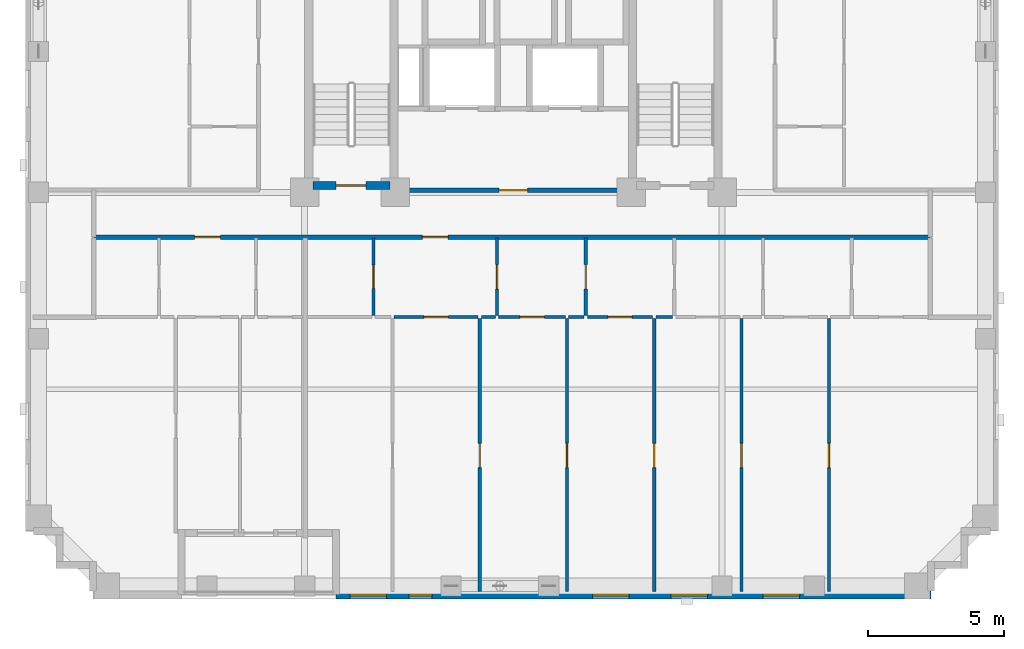
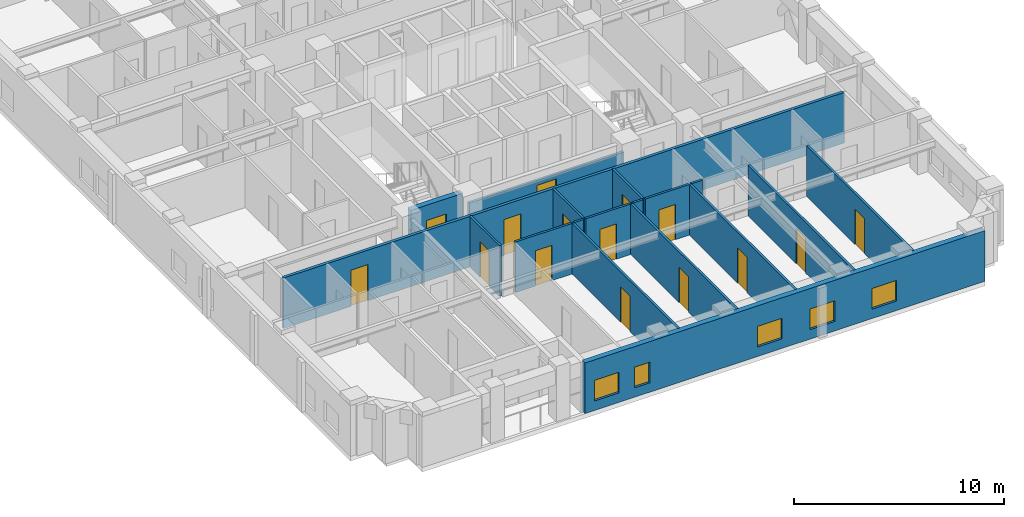
# One storey, part 3 of 12: 18 walls, 15 doors, 5 windows, 20 openings.
"""IFC4 building model written with IfcOpenShell, lengths in metres."""

from ifc_helpers import new_model, si_unit, derived_unit, direction, frame, frame_2d, origin, place, context, subcontext, project, spatial, rectangle, extrude, material, layer, layer_set, type_object, element, fill, save


model = new_model("IFC4")

# Units and contexts
model_context = context("Model", 3, precision=1e-05, world=origin(), true_north=direction((0.0, 1.0)))
body_context = subcontext(model_context, "Body", "Model", "MODEL_VIEW")
ifc_project = project(units=[si_unit("LENGTHUNIT", "METRE"), si_unit("AREAUNIT", "SQUARE_METRE"), si_unit("VOLUMEUNIT", "CUBIC_METRE"), si_unit("PLANEANGLEUNIT", "RADIAN"), si_unit("MASSUNIT", "GRAM", prefix="KILO"), derived_unit("THERMALTRANSMITTANCEUNIT", [(si_unit("MASSUNIT", "GRAM", prefix="KILO"), 1), (si_unit("TIMEUNIT", "SECOND"), -3), (si_unit("THERMODYNAMICTEMPERATUREUNIT", "KELVIN"), -1)])], contexts=[model_context])

# Site, building, storey
site_placement = place(None, origin())
site = spatial("IfcSite", under=ifc_project, at=site_placement, CompositionType="ELEMENT")
building_placement = place(site_placement, origin())
building = spatial("IfcBuilding", under=site, at=building_placement, Name="Korrvale Station Residences", CompositionType="ELEMENT")
storey_placement = place(building_placement, frame((0.0, 0.0, 113.5)))
storey = spatial("IfcBuildingStorey", under=building, at=storey_placement, Name="L32", CompositionType="ELEMENT", Elevation=113.5)

# Wall, opening, door
ifc_material_1 = material(Name="Concrete C60/75", Category="concrete")
ifc_layer_1 = layer(ifc_material_1, 0.300048828125, Name="Concrete C60/75")
ifc_layer_set_1 = layer_set([ifc_layer_1], Name="Concrete C60/75")
wall_type_1 = type_object("IfcWallType", Name="WAL-CORE-300-C60", PredefinedType="SHEAR", material=ifc_layer_set_1)
wall_1_placement = place(storey_placement, frame((18.10009765625, 15.25, 0.0), z_axis=(0.0, 0.0, 1.0), x_axis=(1.0, 0.0, 0.0)))
wall_1 = element("IfcWall", 1, at=wall_1_placement, inside=storey, type_object=wall_type_1, Name="L32 ST-1 Core Shear Wall South", PredefinedType="SHEAR", context=body_context, shape_type="SweptSolid", body=[
    extrude(rectangle(XDim=2.849853515625, YDim=0.300048828125, at=frame_2d((1.4248046875, 0.0))), origin(), (0.0, 0.0, 1.0), 2.93994140625),
])
opening_1_placement = place(wall_1_placement, frame((0.860107421875, 0.0, 0.0)))
opening_1 = element("IfcOpeningElement", 2, at=opening_1_placement, cuts=wall_1, Name="Opening SD-1100", PredefinedType="OPENING", context=body_context, shape_type="SweptSolid", body=[
    extrude(rectangle(XDim=1.10009765625, YDim=2.050048828125, at=frame_2d((0.550048828125, 1.02490234375))), frame((0.0, 0.16015625, 0.0), z_axis=(0.0, -1.0, 0.0), x_axis=(1.0, 0.0, 0.0)), (0.0, 0.0, 1.0), 0.320068359375),
])
ifc_material_2 = material(Name="Hollow-metal fire-rated stair door with closer", Category="steel")
door_type_1 = type_object("IfcDoorType", Name="DR-STAIR-1100", OperationType="NOTDEFINED", PredefinedType="DOOR", material=ifc_material_2)
door_1_placement = place(opening_1_placement, origin())
door_1 = element("IfcDoor", 3, at=door_1_placement, inside=storey, type_object=door_type_1, Name="L32 ST-1 Exit Stair Door", OperationType="SINGLE_SWING_LEFT", OverallHeight=2.050048828125, OverallWidth=1.10009765625, PredefinedType="DOOR", context=body_context, shape_type="SweptSolid", body=[
    extrude(rectangle(XDim=1.10009765625, YDim=2.050048828125, at=frame_2d((0.550048828125, 1.02490234375))), frame((0.0, 0.02490234375, 0.0), z_axis=(0.0, -1.0, 0.0), x_axis=(1.0, 0.0, 0.0)), (0.0, 0.0, 1.0), 0.050048828125),
])
fill(opening_1, door_1)

# Wall, openings, windows
ifc_material_3 = material(Name="Precast concrete C45/55", Category="concrete")
ifc_layer_2 = layer(ifc_material_3, 0.300048828125, Name="Precast concrete C45/55")
ifc_layer_set_2 = layer_set([ifc_layer_2], Name="Precast concrete C45/55")
wall_type_2 = type_object("IfcWallType", Name="WAL-EXT-PC300", PredefinedType="SOLIDWALL", material=ifc_layer_set_2)
wall_2_placement = place(storey_placement, frame((40.89990234375, 0.14990234375, 0.0), z_axis=(0.0, 0.0, 1.0), x_axis=(-1.0, 0.0, 0.0)))
wall_2 = element("IfcWall", 4, at=wall_2_placement, inside=storey, type_object=wall_type_2, Name="L32 South Exterior Precast Wall 1", PredefinedType="SOLIDWALL", context=body_context, shape_type="SweptSolid", body=[
    extrude(rectangle(XDim=21.949951171875, YDim=0.300048828125, at=frame_2d((10.97509765625, 0.0))), origin(), (0.0, 0.0, 1.0), 2.93994140625),
])
opening_2_placement = place(wall_2_placement, frame((20.080078125, 0.0, 0.550048828125)))
opening_2 = element("IfcOpeningElement", 5, at=opening_2_placement, cuts=wall_2, Name="Opening W-10", PredefinedType="OPENING", context=body_context, shape_type="SweptSolid", body=[
    extrude(rectangle(XDim=1.35009765625, YDim=1.199951171875, at=frame_2d((0.675048828125, 0.60009765625))), frame((0.0, 0.16015625, 0.0), z_axis=(0.0, -1.0, 0.0), x_axis=(1.0, 0.0, 0.0)), (0.0, 0.0, 1.0), 0.320068359375),
])
opening_3_placement = place(wall_2_placement, frame((18.39990234375, 0.0, 0.550048828125)))
opening_3 = element("IfcOpeningElement", 6, at=opening_3_placement, cuts=wall_2, Name="Opening W-11", PredefinedType="OPENING", context=body_context, shape_type="SweptSolid", body=[
    extrude(rectangle(XDim=0.85009765625, YDim=1.199951171875, at=frame_2d((0.425048828125, 0.60009765625))), frame((0.0, 0.16015625, 0.0), z_axis=(0.0, -1.0, 0.0), x_axis=(1.0, 0.0, 0.0)), (0.0, 0.0, 1.0), 0.320068359375),
])
opening_4_placement = place(wall_2_placement, frame((11.126953125, 0.0, 0.550048828125)))
opening_4 = element("IfcOpeningElement", 7, at=opening_4_placement, cuts=wall_2, Name="Opening W-10", PredefinedType="OPENING", context=body_context, shape_type="SweptSolid", body=[
    extrude(rectangle(XDim=1.35009765625, YDim=1.199951171875, at=frame_2d((0.675048828125, 0.60009765625))), frame((0.0, 0.16015625, 0.0), z_axis=(0.0, -1.0, 0.0), x_axis=(1.0, 0.0, 0.0)), (0.0, 0.0, 1.0), 0.320068359375),
])
opening_5_placement = place(wall_2_placement, frame((8.235107421875, 0.0, 0.550048828125)))
opening_5 = element("IfcOpeningElement", 8, at=opening_5_placement, cuts=wall_2, Name="Opening W-10", PredefinedType="OPENING", context=body_context, shape_type="SweptSolid", body=[
    extrude(rectangle(XDim=1.35009765625, YDim=1.199951171875, at=frame_2d((0.675048828125, 0.60009765625))), frame((0.0, 0.16015625, 0.0), z_axis=(0.0, -1.0, 0.0), x_axis=(1.0, 0.0, 0.0)), (0.0, 0.0, 1.0), 0.320068359375),
])
opening_6_placement = place(wall_2_placement, frame((4.8349609375, 0.0, 0.550048828125)))
opening_6 = element("IfcOpeningElement", 9, at=opening_6_placement, cuts=wall_2, Name="Opening W-10", PredefinedType="OPENING", context=body_context, shape_type="SweptSolid", body=[
    extrude(rectangle(XDim=1.35009765625, YDim=1.199951171875, at=frame_2d((0.675048828125, 0.60009765625))), frame((0.0, 0.16015625, 0.0), z_axis=(0.0, -1.0, 0.0), x_axis=(1.0, 0.0, 0.0)), (0.0, 0.0, 1.0), 0.320068359375),
])
ifc_material_4 = material(Name="Thermally broken aluminium frame with triple low-e glazing", Category="aluminium")
window_type_1 = type_object("IfcWindowType", Name="WIN-W10", PartitioningType="SINGLE_PANEL", PredefinedType="WINDOW", material=ifc_material_4)
window_1_placement = place(opening_2_placement, origin())
window_1 = element("IfcWindow", 10, at=window_1_placement, inside=storey, type_object=window_type_1, Name="L32 Punched Window 05", OverallHeight=1.199951171875, OverallWidth=1.35009765625, PartitioningType="SINGLE_PANEL", PredefinedType="WINDOW", context=body_context, shape_type="SweptSolid", body=[
    extrude(rectangle(XDim=1.35009765625, YDim=1.199951171875, at=frame_2d((0.675048828125, 0.60009765625))), frame((0.0, 0.030029296875, 0.0), z_axis=(0.0, -1.0, 0.0), x_axis=(1.0, 0.0, 0.0)), (0.0, 0.0, 1.0), 0.06005859375),
])
fill(opening_2, window_1)
window_2_placement = place(opening_4_placement, origin())
window_2 = element("IfcWindow", 11, at=window_2_placement, inside=storey, type_object=window_type_1, Name="L32 Punched Window 07", OverallHeight=1.199951171875, OverallWidth=1.35009765625, PartitioningType="SINGLE_PANEL", PredefinedType="WINDOW", context=body_context, shape_type="SweptSolid", body=[
    extrude(rectangle(XDim=1.35009765625, YDim=1.199951171875, at=frame_2d((0.675048828125, 0.60009765625))), frame((0.0, 0.030029296875, 0.0), z_axis=(0.0, -1.0, 0.0), x_axis=(1.0, 0.0, 0.0)), (0.0, 0.0, 1.0), 0.06005859375),
])
fill(opening_4, window_2)
window_3_placement = place(opening_5_placement, origin())
window_3 = element("IfcWindow", 12, at=window_3_placement, inside=storey, type_object=window_type_1, Name="L32 Punched Window 08", OverallHeight=1.199951171875, OverallWidth=1.35009765625, PartitioningType="SINGLE_PANEL", PredefinedType="WINDOW", context=body_context, shape_type="SweptSolid", body=[
    extrude(rectangle(XDim=1.35009765625, YDim=1.199951171875, at=frame_2d((0.675048828125, 0.60009765625))), frame((0.0, 0.030029296875, 0.0), z_axis=(0.0, -1.0, 0.0), x_axis=(1.0, 0.0, 0.0)), (0.0, 0.0, 1.0), 0.06005859375),
])
fill(opening_5, window_3)
window_4_placement = place(opening_6_placement, origin())
window_4 = element("IfcWindow", 13, at=window_4_placement, inside=storey, type_object=window_type_1, Name="L32 Punched Window 09", OverallHeight=1.199951171875, OverallWidth=1.35009765625, PartitioningType="SINGLE_PANEL", PredefinedType="WINDOW", context=body_context, shape_type="SweptSolid", body=[
    extrude(rectangle(XDim=1.35009765625, YDim=1.199951171875, at=frame_2d((0.675048828125, 0.60009765625))), frame((0.0, 0.030029296875, 0.0), z_axis=(0.0, -1.0, 0.0), x_axis=(1.0, 0.0, 0.0)), (0.0, 0.0, 1.0), 0.06005859375),
])
fill(opening_6, window_4)
window_type_2 = type_object("IfcWindowType", Name="WIN-W11", PartitioningType="SINGLE_PANEL", PredefinedType="WINDOW", material=ifc_material_4)
window_5_placement = place(opening_3_placement, origin())
window_5 = element("IfcWindow", 14, at=window_5_placement, inside=storey, type_object=window_type_2, Name="L32 Punched Window 06", OverallHeight=1.199951171875, OverallWidth=0.85009765625, PartitioningType="SINGLE_PANEL", PredefinedType="WINDOW", context=body_context, shape_type="SweptSolid", body=[
    extrude(rectangle(XDim=0.85009765625, YDim=1.199951171875, at=frame_2d((0.425048828125, 0.60009765625))), frame((0.0, 0.030029296875, 0.0), z_axis=(0.0, -1.0, 0.0), x_axis=(1.0, 0.0, 0.0)), (0.0, 0.0, 1.0), 0.06005859375),
])
fill(opening_3, window_5)

# Wall, opening, door
ifc_material_5 = material(Name="Acoustic steel-stud gypsum board partition", Category="steel")
ifc_layer_3 = layer(ifc_material_5, 0.1201171875, Name="Acoustic steel-stud gypsum board partition")
ifc_layer_set_3 = layer_set([ifc_layer_3], Name="Acoustic steel-stud gypsum board partition")
wall_type_3 = type_object("IfcWallType", Name="WAL-PART-125", PredefinedType="PARTITIONING", material=ifc_layer_set_3)
wall_3_placement = place(storey_placement, frame((20.340087890625, 10.4599609375, 0.0), z_axis=(0.0, 0.0, 1.0), x_axis=(0.0, 1.0, 0.0)))
wall_3 = element("IfcWall", 15, at=wall_3_placement, inside=storey, type_object=wall_type_3, Name="L32 Suite Partition U02-V01", PredefinedType="PARTITIONING", context=body_context, shape_type="SweptSolid", body=[
    extrude(rectangle(XDim=2.85009765625, YDim=0.1201171875, at=frame_2d((1.425048828125, 0.0))), origin(), (0.0, 0.0, 1.0), 2.93994140625),
])
opening_7_placement = place(wall_3_placement, frame((0.9951171875, 0.0, 0.0)))
opening_7 = element("IfcOpeningElement", 16, at=opening_7_placement, cuts=wall_3, Name="Opening DB-860", PredefinedType="OPENING", context=body_context, shape_type="SweptSolid", body=[
    extrude(rectangle(XDim=0.860107421875, YDim=2.050048828125, at=frame_2d((0.43017578125, 1.02490234375))), frame((0.0, 0.070068359375, 0.0), z_axis=(0.0, -1.0, 0.0), x_axis=(1.0, 0.0, 0.0)), (0.0, 0.0, 1.0), 0.14013671875),
])
ifc_material_6 = material(Name="Moisture-resistant solid-core bathroom door", Category="timber")
door_type_2 = type_object("IfcDoorType", Name="DR-BATH-860", OperationType="NOTDEFINED", PredefinedType="DOOR", material=ifc_material_6)
door_2_placement = place(opening_7_placement, origin())
door_2 = element("IfcDoor", 17, at=door_2_placement, inside=storey, type_object=door_type_2, Name="L32 Studio Apartment L32-U02 Bathroom Door", OperationType="SINGLE_SWING_LEFT", OverallHeight=2.050048828125, OverallWidth=0.860107421875, PredefinedType="DOOR", context=body_context, shape_type="SweptSolid", body=[
    extrude(rectangle(XDim=0.860107421875, YDim=2.050048828125, at=frame_2d((0.43017578125, 1.02490234375))), frame((0.0, 0.02490234375, 0.0), z_axis=(0.0, -1.0, 0.0), x_axis=(1.0, 0.0, 0.0)), (0.0, 0.0, 1.0), 0.050048828125),
])
fill(opening_7, door_2)

wall_4_placement = place(storey_placement, frame((24.89990234375, 10.4599609375, 0.0), z_axis=(0.0, 0.0, 1.0), x_axis=(0.0, 1.0, 0.0)))
wall_4 = element("IfcWall", 18, at=wall_4_placement, inside=storey, type_object=wall_type_3, Name="L32 Suite Partition U02-V12", PredefinedType="PARTITIONING", context=body_context, shape_type="SweptSolid", body=[
    extrude(rectangle(XDim=2.85009765625, YDim=0.1201171875, at=frame_2d((1.425048828125, 0.0))), origin(), (0.0, 0.0, 1.0), 2.93994140625),
])
opening_8_placement = place(wall_4_placement, frame((0.97509765625, 0.0, 0.0)))
opening_8 = element("IfcOpeningElement", 19, at=opening_8_placement, cuts=wall_4, Name="Opening DI-900", PredefinedType="OPENING", context=body_context, shape_type="SweptSolid", body=[
    extrude(rectangle(XDim=0.89990234375, YDim=2.050048828125, at=frame_2d((0.449951171875, 1.02490234375))), frame((0.0, 0.070068359375, 0.0), z_axis=(0.0, -1.0, 0.0), x_axis=(1.0, 0.0, 0.0)), (0.0, 0.0, 1.0), 0.14013671875),
])
ifc_material_7 = material(Name="Painted solid-core timber interior room door", Category="wood")
door_type_3 = type_object("IfcDoorType", Name="DR-INT-900", OperationType="NOTDEFINED", PredefinedType="DOOR", material=ifc_material_7)
door_3_placement = place(opening_8_placement, origin())
door_3 = element("IfcDoor", 20, at=door_3_placement, inside=storey, type_object=door_type_3, Name="L32 Studio Apartment L32-U02 Kitchen Door", OperationType="SINGLE_SWING_RIGHT", OverallHeight=2.050048828125, OverallWidth=0.89990234375, PredefinedType="DOOR", context=body_context, shape_type="SweptSolid", body=[
    extrude(rectangle(XDim=0.89990234375, YDim=2.050048828125, at=frame_2d((0.449951171875, 1.02490234375))), frame((0.0, 0.02490234375, 0.0), z_axis=(0.0, -1.0, 0.0), x_axis=(1.0, 0.0, 0.0)), (0.0, 0.0, 1.0), 0.050048828125),
])
fill(opening_8, door_3)

wall_5_placement = place(storey_placement, frame((21.10009765625, 10.39990234375, 0.0), z_axis=(0.0, 0.0, 1.0), x_axis=(1.0, 0.0, 0.0)))
wall_5 = element("IfcWall", 21, at=wall_5_placement, inside=storey, type_object=wall_type_3, Name="L32 Suite Partition U02-H18", PredefinedType="PARTITIONING", context=body_context, shape_type="SweptSolid", body=[
    extrude(rectangle(XDim=3.099853515625, YDim=0.1201171875, at=frame_2d((1.5498046875, 0.0))), origin(), (0.0, 0.0, 1.0), 2.93994140625),
])
opening_9_placement = place(wall_5_placement, frame((1.10009765625, 0.0, 0.0)))
opening_9 = element("IfcOpeningElement", 22, at=opening_9_placement, cuts=wall_5, Name="Opening DI-900", PredefinedType="OPENING", context=body_context, shape_type="SweptSolid", body=[
    extrude(rectangle(XDim=0.89990234375, YDim=2.050048828125, at=frame_2d((0.449951171875, 1.02490234375))), frame((0.0, 0.070068359375, 0.0), z_axis=(0.0, -1.0, 0.0), x_axis=(1.0, 0.0, 0.0)), (0.0, 0.0, 1.0), 0.14013671875),
])
door_4_placement = place(opening_9_placement, origin())
door_4 = element("IfcDoor", 23, at=door_4_placement, inside=storey, type_object=door_type_3, Name="L32 Studio Apartment L32-U02 Kitchen Door", OperationType="SINGLE_SWING_LEFT", OverallHeight=2.050048828125, OverallWidth=0.89990234375, PredefinedType="DOOR", context=body_context, shape_type="SweptSolid", body=[
    extrude(rectangle(XDim=0.89990234375, YDim=2.050048828125, at=frame_2d((0.449951171875, 1.02490234375))), frame((0.0, 0.02490234375, 0.0), z_axis=(0.0, -1.0, 0.0), x_axis=(1.0, 0.0, 0.0)), (0.0, 0.0, 1.0), 0.050048828125),
])
fill(opening_9, door_4)

# Wall
wall_6_placement = place(storey_placement, frame((24.320068359375, 10.39990234375, 0.0), z_axis=(0.0, 0.0, 1.0), x_axis=(1.0, 0.0, 0.0)))
element("IfcWall", 24, at=wall_6_placement, inside=storey, type_object=wall_type_3, Name="L32 Suite Partition U02-H19", PredefinedType="PARTITIONING", context=body_context, shape_type="SweptSolid", body=[
    extrude(rectangle(XDim=0.52001953125, YDim=0.1201171875, at=frame_2d((0.260009765625, 0.0))), origin(), (0.0, 0.0, 1.0), 2.93994140625),
])

# Wall, opening, door
wall_7_placement = place(storey_placement, frame((28.169921875, 10.4599609375, 0.0), z_axis=(0.0, 0.0, 1.0), x_axis=(0.0, 1.0, 0.0)))
wall_7 = element("IfcWall", 25, at=wall_7_placement, inside=storey, type_object=wall_type_3, Name="L32 Suite Partition U02-V23", PredefinedType="PARTITIONING", context=body_context, shape_type="SweptSolid", body=[
    extrude(rectangle(XDim=2.85009765625, YDim=0.1201171875, at=frame_2d((1.425048828125, 0.0))), origin(), (0.0, 0.0, 1.0), 2.93994140625),
])
opening_10_placement = place(wall_7_placement, frame((0.97509765625, 0.0, 0.0)))
opening_10 = element("IfcOpeningElement", 26, at=opening_10_placement, cuts=wall_7, Name="Opening DI-900", PredefinedType="OPENING", context=body_context, shape_type="SweptSolid", body=[
    extrude(rectangle(XDim=0.89990234375, YDim=2.050048828125, at=frame_2d((0.449951171875, 1.02490234375))), frame((0.0, 0.070068359375, 0.0), z_axis=(0.0, -1.0, 0.0), x_axis=(1.0, 0.0, 0.0)), (0.0, 0.0, 1.0), 0.14013671875),
])
door_5_placement = place(opening_10_placement, origin())
door_5 = element("IfcDoor", 27, at=door_5_placement, inside=storey, type_object=door_type_3, Name="L32 Studio Apartment L32-U02 Home Study Room Door", OperationType="SINGLE_SWING_RIGHT", OverallHeight=2.050048828125, OverallWidth=0.89990234375, PredefinedType="DOOR", context=body_context, shape_type="SweptSolid", body=[
    extrude(rectangle(XDim=0.89990234375, YDim=2.050048828125, at=frame_2d((0.449951171875, 1.02490234375))), frame((0.0, 0.02490234375, 0.0), z_axis=(0.0, -1.0, 0.0), x_axis=(1.0, 0.0, 0.0)), (0.0, 0.0, 1.0), 0.050048828125),
])
fill(opening_10, door_5)

wall_8_placement = place(storey_placement, frame((24.9599609375, 10.39990234375, 0.0), z_axis=(0.0, 0.0, 1.0), x_axis=(1.0, 0.0, 0.0)))
wall_8 = element("IfcWall", 28, at=wall_8_placement, inside=storey, type_object=wall_type_3, Name="L32 Suite Partition U02-H29", PredefinedType="PARTITIONING", context=body_context, shape_type="SweptSolid", body=[
    extrude(rectangle(XDim=2.4599609375, YDim=0.1201171875, at=frame_2d((1.22998046875, 0.0))), origin(), (0.0, 0.0, 1.0), 2.93994140625),
])
opening_11_placement = place(wall_8_placement, frame((0.780029296875, 0.0, 0.0)))
opening_11 = element("IfcOpeningElement", 29, at=opening_11_placement, cuts=wall_8, Name="Opening DI-900", PredefinedType="OPENING", context=body_context, shape_type="SweptSolid", body=[
    extrude(rectangle(XDim=0.89990234375, YDim=2.050048828125, at=frame_2d((0.449951171875, 1.02490234375))), frame((0.0, 0.070068359375, 0.0), z_axis=(0.0, -1.0, 0.0), x_axis=(1.0, 0.0, 0.0)), (0.0, 0.0, 1.0), 0.14013671875),
])
door_6_placement = place(opening_11_placement, origin())
door_6 = element("IfcDoor", 30, at=door_6_placement, inside=storey, type_object=door_type_3, Name="L32 Studio Apartment L32-U02 Home Study Room Door", OperationType="SINGLE_SWING_LEFT", OverallHeight=2.050048828125, OverallWidth=0.89990234375, PredefinedType="DOOR", context=body_context, shape_type="SweptSolid", body=[
    extrude(rectangle(XDim=0.89990234375, YDim=2.050048828125, at=frame_2d((0.449951171875, 1.02490234375))), frame((0.0, 0.02490234375, 0.0), z_axis=(0.0, -1.0, 0.0), x_axis=(1.0, 0.0, 0.0)), (0.0, 0.0, 1.0), 0.050048828125),
])
fill(opening_11, door_6)

# Wall
wall_9_placement = place(storey_placement, frame((27.5400390625, 10.39990234375, 0.0), z_axis=(0.0, 0.0, 1.0), x_axis=(1.0, 0.0, 0.0)))
element("IfcWall", 31, at=wall_9_placement, inside=storey, type_object=wall_type_3, Name="L32 Suite Partition U02-H210", PredefinedType="PARTITIONING", context=body_context, shape_type="SweptSolid", body=[
    extrude(rectangle(XDim=0.570068359375, YDim=0.1201171875, at=frame_2d((0.28515625, 0.0))), origin(), (0.0, 0.0, 1.0), 2.93994140625),
])

# Wall, opening, door
wall_10_placement = place(storey_placement, frame((28.22998046875, 10.39990234375, 0.0), z_axis=(0.0, 0.0, 1.0), x_axis=(1.0, 0.0, 0.0)))
wall_10 = element("IfcWall", 32, at=wall_10_placement, inside=storey, type_object=wall_type_3, Name="L32 Suite Partition U02-H310", PredefinedType="PARTITIONING", context=body_context, shape_type="SweptSolid", body=[
    extrude(rectangle(XDim=2.409912109375, YDim=0.1201171875, at=frame_2d((1.205078125, 0.0))), origin(), (0.0, 0.0, 1.0), 2.93994140625),
])
opening_12_placement = place(wall_10_placement, frame((0.7548828125, 0.0, 0.0)))
opening_12 = element("IfcOpeningElement", 33, at=opening_12_placement, cuts=wall_10, Name="Opening DI-900", PredefinedType="OPENING", context=body_context, shape_type="SweptSolid", body=[
    extrude(rectangle(XDim=0.89990234375, YDim=2.050048828125, at=frame_2d((0.449951171875, 1.02490234375))), frame((0.0, 0.070068359375, 0.0), z_axis=(0.0, -1.0, 0.0), x_axis=(1.0, 0.0, 0.0)), (0.0, 0.0, 1.0), 0.14013671875),
])
door_7_placement = place(opening_12_placement, origin())
door_7 = element("IfcDoor", 34, at=door_7_placement, inside=storey, type_object=door_type_3, Name="L32 Studio Apartment L32-U02 Home Study Room Door", OperationType="SINGLE_SWING_LEFT", OverallHeight=2.050048828125, OverallWidth=0.89990234375, PredefinedType="DOOR", context=body_context, shape_type="SweptSolid", body=[
    extrude(rectangle(XDim=0.89990234375, YDim=2.050048828125, at=frame_2d((0.449951171875, 1.02490234375))), frame((0.0, 0.02490234375, 0.0), z_axis=(0.0, -1.0, 0.0), x_axis=(1.0, 0.0, 0.0)), (0.0, 0.0, 1.0), 0.050048828125),
])
fill(opening_12, door_7)

# Wall
wall_11_placement = place(storey_placement, frame((30.760009765625, 10.39990234375, 0.0), z_axis=(0.0, 0.0, 1.0), x_axis=(1.0, 0.0, 0.0)))
element("IfcWall", 35, at=wall_11_placement, inside=storey, type_object=wall_type_3, Name="L32 Suite Partition U02-H311", PredefinedType="PARTITIONING", context=body_context, shape_type="SweptSolid", body=[
    extrude(rectangle(XDim=0.619873046875, YDim=0.1201171875, at=frame_2d((0.31005859375, 0.0))), origin(), (0.0, 0.0, 1.0), 2.93994140625),
])

# Wall, opening, door
wall_12_placement = place(storey_placement, frame((24.260009765625, 0.280029296875, 0.0), z_axis=(0.0, 0.0, 1.0), x_axis=(0.0, 1.0, 0.0)))
wall_12 = element("IfcWall", 36, at=wall_12_placement, inside=storey, type_object=wall_type_3, Name="L32 Suite Partition U02-V89", PredefinedType="PARTITIONING", context=body_context, shape_type="SweptSolid", body=[
    extrude(rectangle(XDim=10.06005859375, YDim=0.1201171875, at=frame_2d((5.030029296875, 0.0))), origin(), (0.0, 0.0, 1.0), 2.93994140625),
])
opening_13_placement = place(wall_12_placement, frame((4.56494140625, 0.0, 0.0)))
opening_13 = element("IfcOpeningElement", 37, at=opening_13_placement, cuts=wall_12, Name="Opening DI-900", PredefinedType="OPENING", context=body_context, shape_type="SweptSolid", body=[
    extrude(rectangle(XDim=0.89990234375, YDim=2.050048828125, at=frame_2d((0.449951171875, 1.02490234375))), frame((0.0, 0.070068359375, 0.0), z_axis=(0.0, -1.0, 0.0), x_axis=(1.0, 0.0, 0.0)), (0.0, 0.0, 1.0), 0.14013671875),
])
door_8_placement = place(opening_13_placement, origin())
door_8 = element("IfcDoor", 38, at=door_8_placement, inside=storey, type_object=door_type_3, Name="L32 Studio Apartment L32-U02 Formal Dining Room Door", OperationType="SINGLE_SWING_RIGHT", OverallHeight=2.050048828125, OverallWidth=0.89990234375, PredefinedType="DOOR", context=body_context, shape_type="SweptSolid", body=[
    extrude(rectangle(XDim=0.89990234375, YDim=2.050048828125, at=frame_2d((0.449951171875, 1.02490234375))), frame((0.0, 0.02490234375, 0.0), z_axis=(0.0, -1.0, 0.0), x_axis=(1.0, 0.0, 0.0)), (0.0, 0.0, 1.0), 0.050048828125),
])
fill(opening_13, door_8)

wall_13_placement = place(storey_placement, frame((27.47998046875, 0.280029296875, 0.0), z_axis=(0.0, 0.0, 1.0), x_axis=(0.0, 1.0, 0.0)))
wall_13 = element("IfcWall", 39, at=wall_13_placement, inside=storey, type_object=wall_type_3, Name="L32 Suite Partition U02-V910", PredefinedType="PARTITIONING", context=body_context, shape_type="SweptSolid", body=[
    extrude(rectangle(XDim=10.06005859375, YDim=0.1201171875, at=frame_2d((5.030029296875, 0.0))), origin(), (0.0, 0.0, 1.0), 2.93994140625),
])
opening_14_placement = place(wall_13_placement, frame((4.56494140625, 0.0, 0.0)))
opening_14 = element("IfcOpeningElement", 40, at=opening_14_placement, cuts=wall_13, Name="Opening DI-900", PredefinedType="OPENING", context=body_context, shape_type="SweptSolid", body=[
    extrude(rectangle(XDim=0.89990234375, YDim=2.050048828125, at=frame_2d((0.449951171875, 1.02490234375))), frame((0.0, 0.070068359375, 0.0), z_axis=(0.0, -1.0, 0.0), x_axis=(1.0, 0.0, 0.0)), (0.0, 0.0, 1.0), 0.14013671875),
])
door_9_placement = place(opening_14_placement, origin())
door_9 = element("IfcDoor", 41, at=door_9_placement, inside=storey, type_object=door_type_3, Name="L32 Studio Apartment L32-U02 Walk-In Wardrobe Door", OperationType="SINGLE_SWING_LEFT", OverallHeight=2.050048828125, OverallWidth=0.89990234375, PredefinedType="DOOR", context=body_context, shape_type="SweptSolid", body=[
    extrude(rectangle(XDim=0.89990234375, YDim=2.050048828125, at=frame_2d((0.449951171875, 1.02490234375))), frame((0.0, 0.02490234375, 0.0), z_axis=(0.0, -1.0, 0.0), x_axis=(1.0, 0.0, 0.0)), (0.0, 0.0, 1.0), 0.050048828125),
])
fill(opening_14, door_9)

wall_14_placement = place(storey_placement, frame((30.699951171875, 0.280029296875, 0.0), z_axis=(0.0, 0.0, 1.0), x_axis=(0.0, 1.0, 0.0)))
wall_14 = element("IfcWall", 42, at=wall_14_placement, inside=storey, type_object=wall_type_3, Name="L32 Suite Partition U02-V1011", PredefinedType="PARTITIONING", context=body_context, shape_type="SweptSolid", body=[
    extrude(rectangle(XDim=10.06005859375, YDim=0.1201171875, at=frame_2d((5.030029296875, 0.0))), origin(), (0.0, 0.0, 1.0), 2.93994140625),
])
opening_15_placement = place(wall_14_placement, frame((4.56494140625, 0.0, 0.0)))
opening_15 = element("IfcOpeningElement", 43, at=opening_15_placement, cuts=wall_14, Name="Opening DI-900", PredefinedType="OPENING", context=body_context, shape_type="SweptSolid", body=[
    extrude(rectangle(XDim=0.89990234375, YDim=2.050048828125, at=frame_2d((0.449951171875, 1.02490234375))), frame((0.0, 0.070068359375, 0.0), z_axis=(0.0, -1.0, 0.0), x_axis=(1.0, 0.0, 0.0)), (0.0, 0.0, 1.0), 0.14013671875),
])
door_10_placement = place(opening_15_placement, origin())
door_10 = element("IfcDoor", 44, at=door_10_placement, inside=storey, type_object=door_type_3, Name="L32 Studio Apartment L32-U02 Formal Dining Room Door", OperationType="SINGLE_SWING_RIGHT", OverallHeight=2.050048828125, OverallWidth=0.89990234375, PredefinedType="DOOR", context=body_context, shape_type="SweptSolid", body=[
    extrude(rectangle(XDim=0.89990234375, YDim=2.050048828125, at=frame_2d((0.449951171875, 1.02490234375))), frame((0.0, 0.02490234375, 0.0), z_axis=(0.0, -1.0, 0.0), x_axis=(1.0, 0.0, 0.0)), (0.0, 0.0, 1.0), 0.050048828125),
])
fill(opening_15, door_10)

wall_15_placement = place(storey_placement, frame((33.919921875, 0.280029296875, 0.0), z_axis=(0.0, 0.0, 1.0), x_axis=(0.0, 1.0, 0.0)))
wall_15 = element("IfcWall", 45, at=wall_15_placement, inside=storey, type_object=wall_type_3, Name="L32 Suite Partition U02-V1112", PredefinedType="PARTITIONING", context=body_context, shape_type="SweptSolid", body=[
    extrude(rectangle(XDim=10.06005859375, YDim=0.1201171875, at=frame_2d((5.030029296875, 0.0))), origin(), (0.0, 0.0, 1.0), 2.93994140625),
])
opening_16_placement = place(wall_15_placement, frame((4.56494140625, 0.0, 0.0)))
opening_16 = element("IfcOpeningElement", 46, at=opening_16_placement, cuts=wall_15, Name="Opening DI-900", PredefinedType="OPENING", context=body_context, shape_type="SweptSolid", body=[
    extrude(rectangle(XDim=0.89990234375, YDim=2.050048828125, at=frame_2d((0.449951171875, 1.02490234375))), frame((0.0, 0.070068359375, 0.0), z_axis=(0.0, -1.0, 0.0), x_axis=(1.0, 0.0, 0.0)), (0.0, 0.0, 1.0), 0.14013671875),
])
door_11_placement = place(opening_16_placement, origin())
door_11 = element("IfcDoor", 47, at=door_11_placement, inside=storey, type_object=door_type_3, Name="L32 Studio Apartment L32-U02 Formal Dining Room Door", OperationType="SINGLE_SWING_LEFT", OverallHeight=2.050048828125, OverallWidth=0.89990234375, PredefinedType="DOOR", context=body_context, shape_type="SweptSolid", body=[
    extrude(rectangle(XDim=0.89990234375, YDim=2.050048828125, at=frame_2d((0.449951171875, 1.02490234375))), frame((0.0, 0.02490234375, 0.0), z_axis=(0.0, -1.0, 0.0), x_axis=(1.0, 0.0, 0.0)), (0.0, 0.0, 1.0), 0.050048828125),
])
fill(opening_16, door_11)

wall_16_placement = place(storey_placement, frame((37.139892578125, 0.280029296875, 0.0), z_axis=(0.0, 0.0, 1.0), x_axis=(0.0, 1.0, 0.0)))
wall_16 = element("IfcWall", 48, at=wall_16_placement, inside=storey, type_object=wall_type_3, Name="L32 Suite Partition U02-V1213", PredefinedType="PARTITIONING", context=body_context, shape_type="SweptSolid", body=[
    extrude(rectangle(XDim=10.06005859375, YDim=0.1201171875, at=frame_2d((5.030029296875, 0.0))), origin(), (0.0, 0.0, 1.0), 2.93994140625),
])
opening_17_placement = place(wall_16_placement, frame((4.56494140625, 0.0, 0.0)))
opening_17 = element("IfcOpeningElement", 49, at=opening_17_placement, cuts=wall_16, Name="Opening DI-900", PredefinedType="OPENING", context=body_context, shape_type="SweptSolid", body=[
    extrude(rectangle(XDim=0.89990234375, YDim=2.050048828125, at=frame_2d((0.449951171875, 1.02490234375))), frame((0.0, 0.070068359375, 0.0), z_axis=(0.0, -1.0, 0.0), x_axis=(1.0, 0.0, 0.0)), (0.0, 0.0, 1.0), 0.14013671875),
])
door_12_placement = place(opening_17_placement, origin())
door_12 = element("IfcDoor", 50, at=door_12_placement, inside=storey, type_object=door_type_3, Name="L32 Studio Apartment L32-U02 Formal Dining Room Door", OperationType="SINGLE_SWING_RIGHT", OverallHeight=2.050048828125, OverallWidth=0.89990234375, PredefinedType="DOOR", context=body_context, shape_type="SweptSolid", body=[
    extrude(rectangle(XDim=0.89990234375, YDim=2.050048828125, at=frame_2d((0.449951171875, 1.02490234375))), frame((0.0, 0.02490234375, 0.0), z_axis=(0.0, -1.0, 0.0), x_axis=(1.0, 0.0, 0.0)), (0.0, 0.0, 1.0), 0.050048828125),
])
fill(opening_17, door_12)

ifc_material_8 = material(Name="Fire-rated twin-stud gypsum and mineral wool shaftwall assembly", Category="gypsum")
ifc_layer_4 = layer(ifc_material_8, 0.159912109375, Name="Fire-rated twin-stud gypsum and mineral wool shaftwall assembly")
ifc_layer_set_4 = layer_set([ifc_layer_4], Name="Fire-rated twin-stud gypsum and mineral wool shaftwall assembly")
wall_type_4 = type_object("IfcWallType", Name="WAL-PART-200", PredefinedType="PARTITIONING", material=ifc_layer_set_4)
wall_17_placement = place(storey_placement, frame((21.25, 15.080078125, 0.0), z_axis=(0.0, 0.0, 1.0), x_axis=(1.0, 0.0, 0.0)))
wall_17 = element("IfcWall", 51, at=wall_17_placement, inside=storey, type_object=wall_type_4, Name="L32 Core Partition CW-FFL-S", PredefinedType="PARTITIONING", context=body_context, shape_type="SweptSolid", body=[
    extrude(rectangle(XDim=8.5, YDim=0.159912109375, at=frame_2d((4.25, 0.0))), origin(), (0.0, 0.0, 1.0), 2.31298828125),
])
opening_18_placement = place(wall_17_placement, frame((3.72509765625, 0.0, 0.0)))
opening_18 = element("IfcOpeningElement", 52, at=opening_18_placement, cuts=wall_17, Name="Opening FD-1050", PredefinedType="OPENING", context=body_context, shape_type="SweptSolid", body=[
    extrude(rectangle(XDim=1.050048828125, YDim=2.050048828125, at=frame_2d((0.52490234375, 1.02490234375))), frame((0.0, 0.08984375, 0.0), z_axis=(0.0, -1.0, 0.0), x_axis=(1.0, 0.0, 0.0)), (0.0, 0.0, 1.0), 0.179931640625),
])
ifc_material_9 = material(Name="Fire-rated mineral-core timber lobby door", Category="wood")
door_type_4 = type_object("IfcDoorType", Name="DR-CORE-1050", OperationType="NOTDEFINED", PredefinedType="DOOR", material=ifc_material_9)
door_13_placement = place(opening_18_placement, origin())
door_13 = element("IfcDoor", 53, at=door_13_placement, inside=storey, type_object=door_type_4, Name="L32 Firefighting Lobby Entry Door", OperationType="SINGLE_SWING_RIGHT", OverallHeight=2.050048828125, OverallWidth=1.050048828125, PredefinedType="DOOR", context=body_context, shape_type="SweptSolid", body=[
    extrude(rectangle(XDim=1.050048828125, YDim=2.050048828125, at=frame_2d((0.52490234375, 1.02490234375))), frame((0.0, 0.02490234375, 0.0), z_axis=(0.0, -1.0, 0.0), x_axis=(1.0, 0.0, 0.0)), (0.0, 0.0, 1.0), 0.050048828125),
])
fill(opening_18, door_13)

# Wall, openings, doors
wall_18_placement = place(storey_placement, frame((10.050048828125, 13.35009765625, 0.0), z_axis=(0.0, 0.0, 1.0), x_axis=(1.0, 0.0, 0.0)))
wall_18 = element("IfcWall", 54, at=wall_18_placement, inside=storey, type_object=wall_type_4, Name="L32 Rated Corridor Wall S", PredefinedType="PARTITIONING", context=body_context, shape_type="SweptSolid", body=[
    extrude(rectangle(XDim=30.800048828125, YDim=0.159912109375, at=frame_2d((15.39990234375, 0.0))), origin(), (0.0, 0.0, 1.0), 2.93994140625),
])
opening_19_placement = place(wall_18_placement, frame((3.69189453125, 0.0, 0.0)))
opening_19 = element("IfcOpeningElement", 55, at=opening_19_placement, cuts=wall_18, Name="Opening UD-950", PredefinedType="OPENING", context=body_context, shape_type="SweptSolid", body=[
    extrude(rectangle(XDim=0.949951171875, YDim=2.10009765625, at=frame_2d((0.47509765625, 1.050048828125))), frame((0.0, 0.08984375, 0.0), z_axis=(0.0, -1.0, 0.0), x_axis=(1.0, 0.0, 0.0)), (0.0, 0.0, 1.0), 0.179931640625),
])
opening_20_placement = place(wall_18_placement, frame((12.094970703125, 0.0, 0.0)))
opening_20 = element("IfcOpeningElement", 56, at=opening_20_placement, cuts=wall_18, Name="Opening UD-950", PredefinedType="OPENING", context=body_context, shape_type="SweptSolid", body=[
    extrude(rectangle(XDim=0.949951171875, YDim=2.10009765625, at=frame_2d((0.47509765625, 1.050048828125))), frame((0.0, 0.08984375, 0.0), z_axis=(0.0, -1.0, 0.0), x_axis=(1.0, 0.0, 0.0)), (0.0, 0.0, 1.0), 0.179931640625),
])
ifc_material_10 = material(Name="Solid-core acoustic oak apartment entrance door", Category="timber")
door_type_5 = type_object("IfcDoorType", Name="DR-UNIT-950", OperationType="NOTDEFINED", PredefinedType="DOOR", material=ifc_material_10)
door_14_placement = place(opening_19_placement, origin())
door_14 = element("IfcDoor", 57, at=door_14_placement, inside=storey, type_object=door_type_5, Name="L32 Apartment L32-U01 Entrance Door", OperationType="SINGLE_SWING_RIGHT", OverallHeight=2.10009765625, OverallWidth=0.949951171875, PredefinedType="DOOR", context=body_context, shape_type="SweptSolid", body=[
    extrude(rectangle(XDim=0.949951171875, YDim=2.10009765625, at=frame_2d((0.47509765625, 1.050048828125))), frame((0.0, 0.02490234375, 0.0), z_axis=(0.0, -1.0, 0.0), x_axis=(1.0, 0.0, 0.0)), (0.0, 0.0, 1.0), 0.050048828125),
])
fill(opening_19, door_14)
door_15_placement = place(opening_20_placement, origin())
door_15 = element("IfcDoor", 58, at=door_15_placement, inside=storey, type_object=door_type_5, Name="L32 Apartment L32-U02 Entrance Door", OperationType="SINGLE_SWING_LEFT", OverallHeight=2.10009765625, OverallWidth=0.949951171875, PredefinedType="DOOR", context=body_context, shape_type="SweptSolid", body=[
    extrude(rectangle(XDim=0.949951171875, YDim=2.10009765625, at=frame_2d((0.47509765625, 1.050048828125))), frame((0.0, 0.02490234375, 0.0), z_axis=(0.0, -1.0, 0.0), x_axis=(1.0, 0.0, 0.0)), (0.0, 0.0, 1.0), 0.050048828125),
])
fill(opening_20, door_15)

save(model, "model.ifc")
